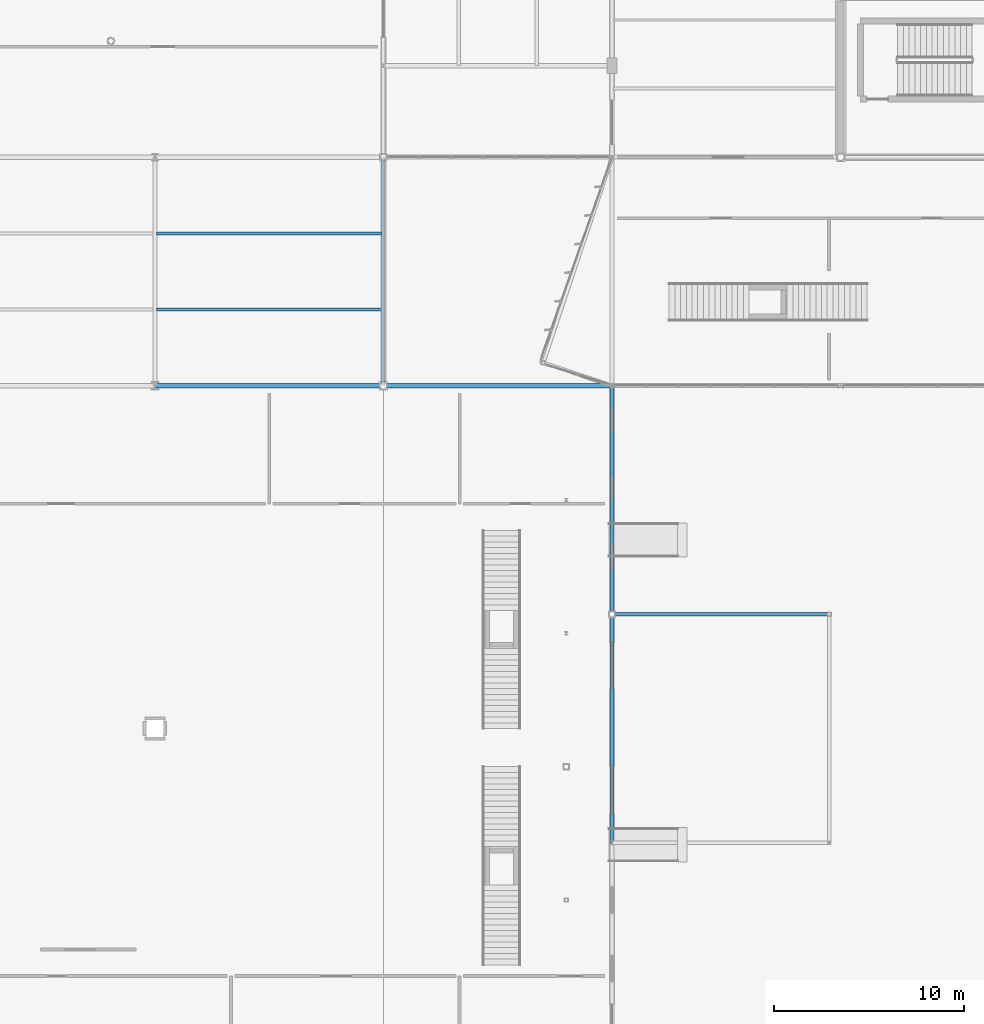
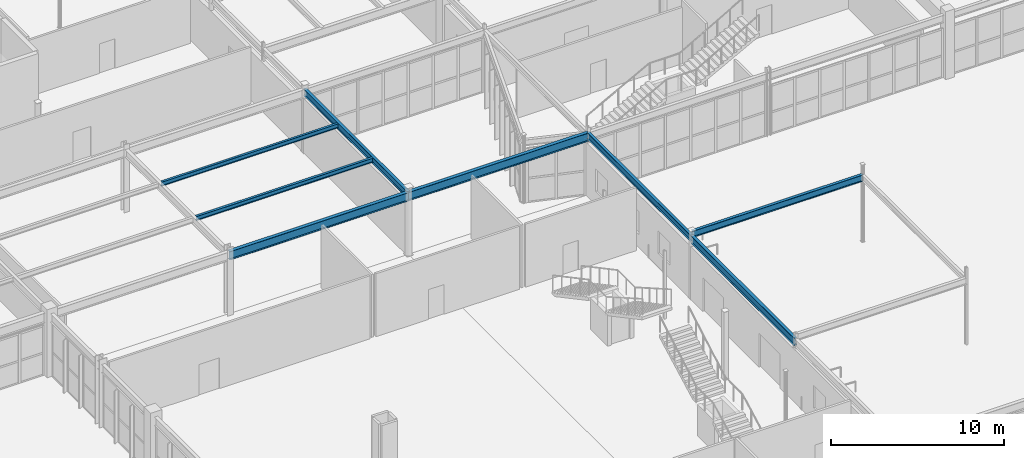
# One storey, part 100 of 199: 8 beams.
"""IFC4 building model written with IfcOpenShell, lengths in metres."""

from ifc_helpers import new_model, si_unit, direction, frame, origin, origin_2d, place, context, subcontext, project, spatial, i_section, extrude, material, material_profile, profile_set, type_object, element, save


model = new_model("IFC4")

# Units and contexts
model_context = context("Model", 3, precision=1e-05, world=origin(), true_north=direction((0.0, 1.0)))
body_context = subcontext(model_context, "Body", "Model", "MODEL_VIEW")
ifc_project = project(units=[si_unit("LENGTHUNIT", "METRE"), si_unit("AREAUNIT", "SQUARE_METRE"), si_unit("VOLUMEUNIT", "CUBIC_METRE"), si_unit("PLANEANGLEUNIT", "RADIAN"), si_unit("MASSUNIT", "GRAM", prefix="KILO")], contexts=[model_context])

# Site, building, storey
site_placement = place(None, origin())
site = spatial("IfcSite", under=ifc_project, at=site_placement, CompositionType="ELEMENT")
building_placement = place(site_placement, origin())
building = spatial("IfcBuilding", under=site, at=building_placement, Name="Tarnwether General Hospital", CompositionType="ELEMENT")
storey_placement = place(building_placement, origin())
storey = spatial("IfcBuildingStorey", under=building, at=storey_placement, Name="L00", CompositionType="ELEMENT", Elevation=0.0)

# Beams
ifc_material_1 = material(Name="Steel Grade 350 (350 MPa)", Category="steel")
ifc_material_profile_1 = material_profile(ifc_material_1, i_section(OverallWidth=0.22802734375, OverallDepth=0.60693359375, WebThickness=0.01123046875, FlangeThickness=0.017333984375, at=origin_2d()), Name="610UB113")
ifc_profile_set_1 = profile_set([ifc_material_profile_1], Name="Steel Grade 350 (350 MPa)")
beam_type_1 = type_object("IfcBeamType", Name="BM-G04", PredefinedType="BEAM", material=ifc_profile_set_1)
beam_1_placement = place(storey_placement, frame((120.0, 81.60009765625, 4.1416015625), z_axis=(1.0, 0.0, 0.0), x_axis=(0.0, 1.0, 0.0)))
element("IfcBeam", 1, at=beam_1_placement, inside=storey, type_object=beam_type_1, Name="Primary Girder BMG-L00-12000_8160-13200_8160-0762", PredefinedType="BEAM", context=body_context, shape_type="SweptSolid", body=[
    extrude(i_section(OverallWidth=0.22802734375, OverallDepth=0.60693359375, WebThickness=0.01123046875, FlangeThickness=0.017333984375, at=origin_2d()), origin(), (0.0, 0.0, 1.0), 12.0),
])
ifc_material_2 = material(Name="Steel Grade 350 (350 MPa)", Category="steel")
ifc_material_profile_2 = material_profile(ifc_material_2, i_section(OverallWidth=0.22802734375, OverallDepth=0.60205078125, WebThickness=0.010498046875, FlangeThickness=0.014892578125, at=origin_2d()), Name="610UB101")
ifc_profile_set_2 = profile_set([ifc_material_profile_2], Name="Steel Grade 350 (350 MPa)")
beam_type_2 = type_object("IfcBeamType", Name="BM-G05", PredefinedType="BEAM", material=ifc_profile_set_2)
beam_2_placement = place(storey_placement, frame((132.0, 81.60009765625, 4.14404296875), z_axis=(1.0, 0.0, 0.0), x_axis=(0.0, 1.0, 0.0)))
element("IfcBeam", 2, at=beam_2_placement, inside=storey, type_object=beam_type_2, Name="Primary Girder BMG-L00-13200_8160-14400_8160-0775", PredefinedType="BEAM", context=body_context, shape_type="SweptSolid", body=[
    extrude(i_section(OverallWidth=0.22802734375, OverallDepth=0.60205078125, WebThickness=0.010498046875, FlangeThickness=0.014892578125, at=origin_2d()), origin(), (0.0, 0.0, 1.0), 12.0),
])
ifc_material_3 = material(Name="Steel Grade 350 (350 MPa)", Category="steel")
ifc_material_profile_3 = material_profile(ifc_material_3, i_section(OverallWidth=0.208984375, OverallDepth=0.528076171875, WebThickness=0.009521484375, FlangeThickness=0.01318359375, at=origin_2d()), Name="530UB82.0")
ifc_profile_set_3 = profile_set([ifc_material_profile_3], Name="Steel Grade 350 (350 MPa)")
beam_type_3 = type_object("IfcBeamType", Name="BM-G07", PredefinedType="BEAM", material=ifc_profile_set_3)
beam_3_placement = place(storey_placement, frame((144.0, 57.60009765625, 4.180908203125), z_axis=(0.0, 1.0, 0.0), x_axis=(-1.0, 0.0, 0.0)))
element("IfcBeam", 3, at=beam_3_placement, inside=storey, type_object=beam_type_3, Name="Primary Girder BMG-L00-14400_5760-14400_6960-0794", PredefinedType="BEAM", context=body_context, shape_type="SweptSolid", body=[
    extrude(i_section(OverallWidth=0.208984375, OverallDepth=0.528076171875, WebThickness=0.009521484375, FlangeThickness=0.01318359375, at=origin_2d()), origin(), (0.0, 0.0, 1.0), 12.0),
])
ifc_material_4 = material(Name="Steel Grade 350 (350 MPa)", Category="steel")
ifc_material_profile_4 = material_profile(ifc_material_4, i_section(OverallWidth=0.19091796875, OverallDepth=0.4599609375, WebThickness=0.010009765625, FlangeThickness=0.01611328125, at=origin_2d()), Name="460UB82.1")
ifc_profile_set_4 = profile_set([ifc_material_profile_4], Name="Steel Grade 350 (350 MPa)")
beam_type_4 = type_object("IfcBeamType", Name="BM-G08", PredefinedType="BEAM", material=ifc_profile_set_4)
for number, where, z_axis, x_axis, name in (
    (4, (132.0, 81.60009765625, 4.215087890625), (0.0, 1.0, 0.0), (-1.0, 0.0, 0.0), "Primary Girder BMG-L00-13200_8160-13200_9360-0776"),
    (5, (144.0, 69.60009765625, 4.215087890625), (0.0, 1.0, 0.0), (-1.0, 0.0, 0.0), "Primary Girder BMG-L00-14400_6960-14400_8160-0795"),
):
    element("IfcBeam", number, at=place(storey_placement, frame(where, z_axis=z_axis, x_axis=x_axis)), inside=storey, type_object=beam_type_4, Name=name, PredefinedType="BEAM", context=body_context, shape_type="SweptSolid", body=[
        extrude(i_section(OverallWidth=0.19091796875, OverallDepth=0.4599609375, WebThickness=0.010009765625, FlangeThickness=0.01611328125, at=origin_2d()), origin(), (0.0, 0.0, 1.0), 12.0),
    ])
beam_4_placement = place(storey_placement, frame((144.0, 69.60009765625, 4.52001953125), z_axis=(1.0, 0.0, 0.0), x_axis=(0.0, 1.0, 0.0)))
element("IfcBeam", 6, at=beam_4_placement, inside=storey, type_object=beam_type_4, Name="Entrance Canopy Girder BMG-L00-14400_6960-15540_6960-1883", PredefinedType="BEAM", context=body_context, shape_type="SweptSolid", body=[
    extrude(i_section(OverallWidth=0.19091796875, OverallDepth=0.4599609375, WebThickness=0.010009765625, FlangeThickness=0.01611328125, at=origin_2d()), origin(), (0.0, 0.0, 1.0), 11.39990234375),
])
ifc_material_5 = material(Name="Steel Grade 350 (350 MPa)", Category="steel")
ifc_material_profile_5 = material_profile(ifc_material_5, i_section(OverallWidth=0.1650390625, OverallDepth=0.303955078125, WebThickness=0.006103515625, FlangeThickness=0.01025390625, at=origin_2d()), Name="310UB40.4")
ifc_profile_set_5 = profile_set([ifc_material_profile_5], Name="Steel Grade 350 (350 MPa)")
beam_type_5 = type_object("IfcBeamType", Name="BM-J07", PredefinedType="JOIST", material=ifc_profile_set_5)
beam_5_placement = place(storey_placement, frame((120.09912109375, 85.60009765625, 4.29296875), z_axis=(1.0, 0.0, 0.0), x_axis=(0.0, 1.0, 0.0)))
element("IfcBeam", 7, at=beam_5_placement, inside=storey, type_object=beam_type_5, Name="Composite Floor Joist BMG-L00-12010_8560-13191_8560-0995", PredefinedType="JOIST", context=body_context, shape_type="SweptSolid", body=[
    extrude(i_section(OverallWidth=0.1650390625, OverallDepth=0.303955078125, WebThickness=0.006103515625, FlangeThickness=0.01025390625, at=origin_2d()), origin(), (0.0, 0.0, 1.0), 11.811767578125),
])
ifc_material_6 = material(Name="Steel Grade 350 (350 MPa)", Category="steel")
ifc_material_profile_6 = material_profile(ifc_material_6, i_section(OverallWidth=0.14892578125, OverallDepth=0.298095703125, WebThickness=0.005615234375, FlangeThickness=0.008056640625, at=origin_2d()), Name="310UB32.0")
ifc_profile_set_6 = profile_set([ifc_material_profile_6], Name="Steel Grade 350 (350 MPa)")
beam_type_6 = type_object("IfcBeamType", Name="BM-J08", PredefinedType="JOIST", material=ifc_profile_set_6)
beam_6_placement = place(storey_placement, frame((120.09912109375, 89.60009765625, 4.2958984375), z_axis=(1.0, 0.0, 0.0), x_axis=(0.0, 1.0, 0.0)))
element("IfcBeam", 8, at=beam_6_placement, inside=storey, type_object=beam_type_6, Name="Composite Floor Joist BMG-L00-12010_8960-13191_8960-0996", PredefinedType="JOIST", context=body_context, shape_type="SweptSolid", body=[
    extrude(i_section(OverallWidth=0.14892578125, OverallDepth=0.298095703125, WebThickness=0.005615234375, FlangeThickness=0.008056640625, at=origin_2d()), origin(), (0.0, 0.0, 1.0), 11.811767578125),
])

save(model, "model.ifc")
